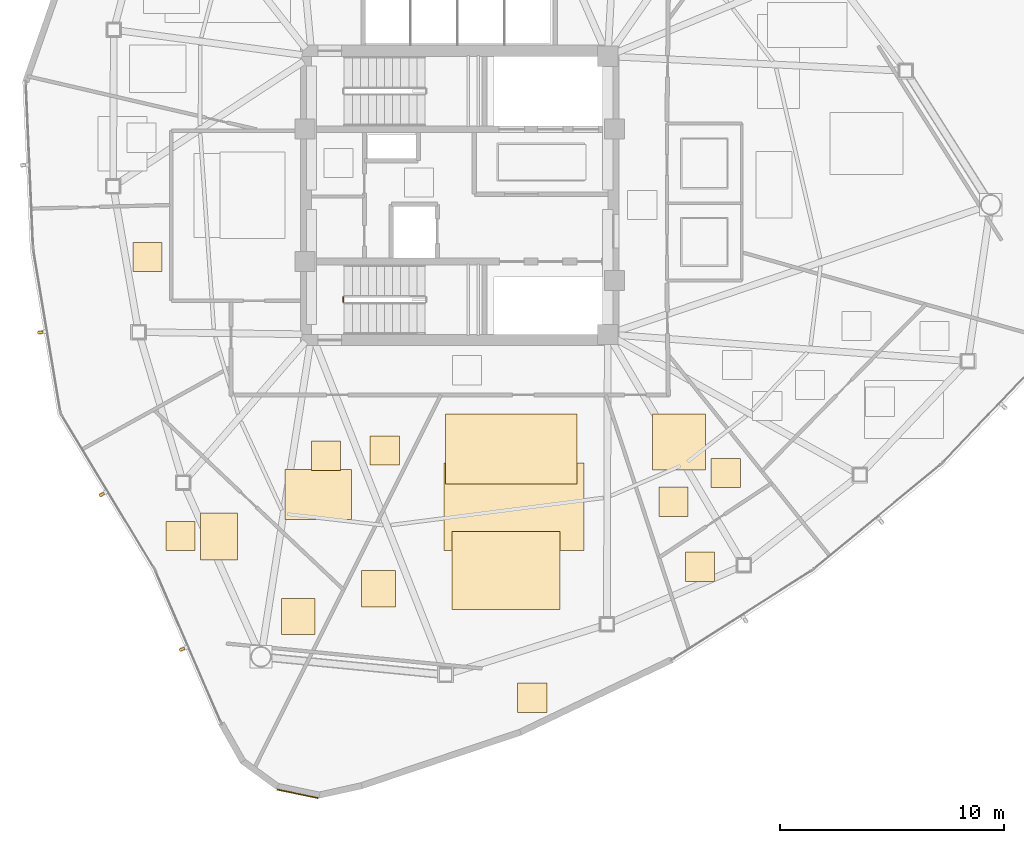
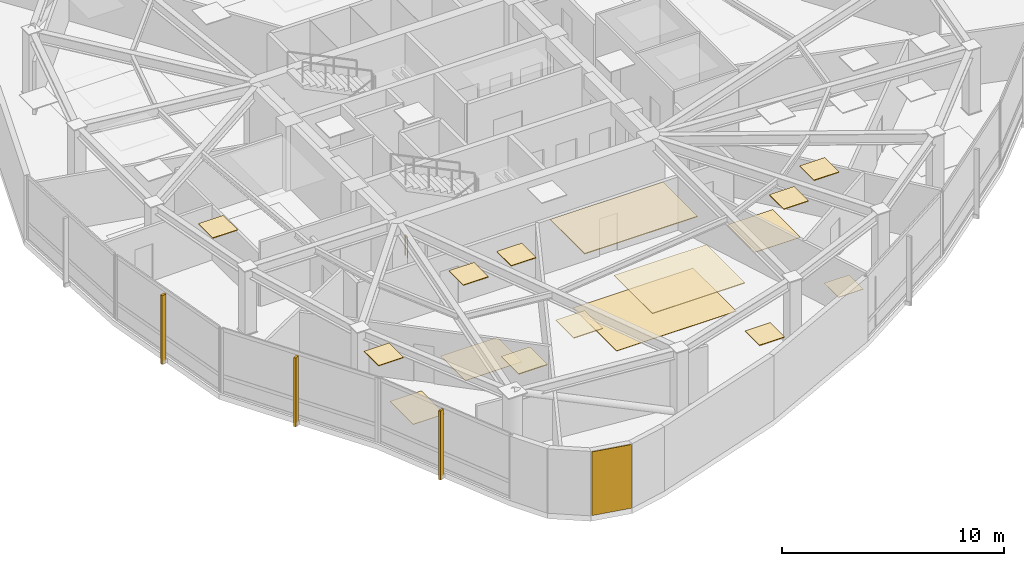
# One storey, part 14 of 17: 17 coverings, 3 shading devices, 1 railing.
"""IFC4 building model written with IfcOpenShell, lengths in metres."""

from ifc_helpers import new_model, si_unit, direction, frame, origin, origin_2d, place, context, subcontext, project, spatial, polyline, rectangle, outline, extrude, source, transform, mapped, material, layer, layer_set, type_object, type_shapes, element, save


model = new_model("IFC4")

# Units and contexts
model_context = context("Model", 3, precision=1e-05, world=origin(), true_north=direction((0.0, 1.0)))
body_context = subcontext(model_context, "Body", "Model", "MODEL_VIEW")
ifc_project = project(units=[si_unit("LENGTHUNIT", "METRE"), si_unit("AREAUNIT", "SQUARE_METRE"), si_unit("VOLUMEUNIT", "CUBIC_METRE"), si_unit("PLANEANGLEUNIT", "RADIAN"), si_unit("MASSUNIT", "GRAM", prefix="KILO")], contexts=[model_context])

# Site, building, storey
site_placement = place(None, origin())
site = spatial("IfcSite", under=ifc_project, at=site_placement, CompositionType="ELEMENT")
building_placement = place(site_placement, origin())
building = spatial("IfcBuilding", under=site, at=building_placement, Name="Tavelor Broadcast Tower", CompositionType="ELEMENT")
storey_placement = place(building_placement, frame((0.0, 0.0, 184.89990234375)))
storey = spatial("IfcBuildingStorey", under=building, at=storey_placement, Name="L44", CompositionType="ELEMENT", Elevation=184.89990234375)

# Coverings
ifc_material_1 = material(Name="Copper-Bronze Anodized Aluminium", Category="aluminium")
ifc_layer_1 = layer(ifc_material_1, 0.050048828125)
ifc_layer_set_1 = layer_set([ifc_layer_1], Name="Copper-Bronze Anodized Aluminium")
covering_type_1 = type_object("IfcCoveringType", Name="Champagne-Bronze Corner Pier Metal Cladding 50 mm", PredefinedType="CLADDING", material=ifc_layer_set_1)
covering_1_placement = place(storey_placement, frame((42.77099609375, 18.3134765625, 0.02001953125), z_axis=(0.0, 0.0, 1.0), x_axis=(0.978688559589, -0.205350196811, 0.0)))
element("IfcCovering", 1, at=covering_1_placement, inside=storey, type_object=covering_type_1, Name="L44 Champagne-Bronze Corner Cladding 13", PredefinedType="CLADDING", context=body_context, shape_type="SweptSolid", body=[
    extrude(rectangle(XDim=1.8671875, YDim=0.050048828125, at=origin_2d()), origin(), (0.0, 0.0, 1.0), 3.510009765625),
])
ifc_material_2 = material(Name="Acoustic Nylon Carpet Tile")
ifc_layer_2 = layer(ifc_material_2, 0.02001953125)
ifc_layer_set_2 = layer_set([ifc_layer_2], Name="Acoustic Nylon Carpet Tile")
covering_type_2 = type_object("IfcCoveringType", Name="Heavy-Duty Acoustic Broadcast Carpet Tile 20 mm", PredefinedType="FLOORING", material=ifc_layer_set_2)
covering_2_placement = place(storey_placement, origin())
element("IfcCovering", 2, at=covering_2_placement, inside=storey, type_object=covering_type_2, Name="L44 Broadcast Floor Finish 0663", PredefinedType="FLOORING", context=body_context, shape_type="SweptSolid", body=[
    extrude(outline(polyline([(60.069580078125, 27.7880859375), (61.36962890625, 27.7880859375), (61.36962890625, 29.088134765625), (60.069580078125, 29.088134765625), (60.069580078125, 27.7880859375)])), origin(), (0.0, 0.0, 1.0), 0.02001953125),
])
covering_3_placement = place(storey_placement, origin())
element("IfcCovering", 3, at=covering_3_placement, inside=storey, type_object=covering_type_2, Name="L44 Broadcast Floor Finish 0664", PredefinedType="FLOORING", context=body_context, shape_type="SweptSolid", body=[
    extrude(outline(polyline([(49.29248046875, 29.156982421875), (55.537353515625, 29.156982421875), (55.537353515625, 33.07080078125), (49.29248046875, 33.07080078125), (49.29248046875, 29.156982421875)])), origin(), (0.0, 0.0, 1.0), 0.02001953125),
])
covering_4_placement = place(storey_placement, origin())
element("IfcCovering", 4, at=covering_4_placement, inside=storey, type_object=covering_type_2, Name="L44 Broadcast Floor Finish 0665", PredefinedType="FLOORING", context=body_context, shape_type="SweptSolid", body=[
    extrude(outline(polyline([(38.447265625, 28.73046875), (40.093017578125, 28.73046875), (40.093017578125, 30.836669921875), (38.447265625, 30.836669921875), (38.447265625, 28.73046875)])), origin(), (0.0, 0.0, 1.0), 0.02001953125),
])
covering_5_placement = place(storey_placement, origin())
element("IfcCovering", 5, at=covering_5_placement, inside=storey, type_object=covering_type_2, Name="L44 Broadcast Floor Finish 0671", PredefinedType="FLOORING", context=body_context, shape_type="SweptSolid", body=[
    extrude(outline(polyline([(58.589111328125, 32.74609375), (60.95947265625, 32.74609375), (60.95947265625, 35.259521484375), (58.589111328125, 35.259521484375), (58.589111328125, 32.74609375)])), origin(), (0.0, 0.0, 1.0), 0.02001953125),
])
covering_6_placement = place(storey_placement, origin())
element("IfcCovering", 6, at=covering_6_placement, inside=storey, type_object=covering_type_2, Name="L44 Broadcast Floor Finish 0672", PredefinedType="FLOORING", context=body_context, shape_type="SweptSolid", body=[
    extrude(outline(polyline([(42.20947265625, 30.54150390625), (45.1767578125, 30.54150390625), (45.1767578125, 32.770751953125), (42.20947265625, 32.770751953125), (42.20947265625, 30.54150390625)])), origin(), (0.0, 0.0, 1.0), 0.02001953125),
])

# Railing
ifc_material_3 = material(Name="Steel S355", Category="steel")
railing_type = type_object("IfcRailingType", Name="Stairwell Steel Safety Guardrail 1150 mm", PredefinedType="GUARDRAIL", material=ifc_material_3)
railing_placement = place(storey_placement, frame((44.800048828125, 40.25, 0.0)))
element("IfcRailing", 7, at=railing_placement, inside=storey, type_object=railing_type, Name="L44 ST2 stair guard 4", PredefinedType="GUARDRAIL", context=body_context, shape_type="SweptSolid", body=[
    extrude(rectangle(XDim=0.048095703125, YDim=0.048095703125, at=origin_2d()), frame((0.0, 0.0, 1.1259765625), z_axis=(0.0, 1.0, 0.0), x_axis=(-1.0, 0.0, 0.0)), (0.0, 0.0, 1.0), 0.199951171875),
    extrude(rectangle(XDim=0.0419921875, YDim=0.0419921875, at=origin_2d()), origin(), (0.0, 0.0, 1.0), 1.101806640625),
    extrude(rectangle(XDim=0.0419921875, YDim=0.0419921875, at=origin_2d()), frame((0.0, 0.199951171875, 0.0)), (0.0, 0.0, 1.0), 1.101806640625),
])

# Coverings
ifc_material_4 = material(Name="Acoustic Mineral Fibre Tile")
ifc_layer_3 = layer(ifc_material_4, 0.0400390625)
ifc_layer_set_3 = layer_set([ifc_layer_3], Name="Acoustic Mineral Fibre Tile")
covering_type_3 = type_object("IfcCoveringType", Name="Suspended Acoustic Mineral-Fibre Office Ceiling 40 mm", PredefinedType="CEILING", material=ifc_layer_set_3)
covering_7_placement = place(storey_placement, frame((0.0, 0.0, 3.510009765625)))
element("IfcCovering", 8, at=covering_7_placement, inside=storey, type_object=covering_type_3, Name="L44 Suspended Acoustic Ceiling 1844", PredefinedType="CEILING", context=body_context, shape_type="SweptSolid", body=[
    extrude(outline(polyline([(52.586669921875, 21.950927734375), (53.88671875, 21.950927734375), (53.88671875, 23.2509765625), (52.586669921875, 23.2509765625), (52.586669921875, 21.950927734375)])), origin(), (0.0, 0.0, 1.0), 0.0400390625),
])
covering_8_placement = place(storey_placement, frame((0.0, 0.0, 3.510009765625)))
element("IfcCovering", 9, at=covering_8_placement, inside=storey, type_object=covering_type_3, Name="L44 Suspended Acoustic Ceiling 1845", PredefinedType="CEILING", context=body_context, shape_type="SweptSolid", body=[
    extrude(outline(polyline([(49.649658203125, 26.537353515625), (54.472900390625, 26.537353515625), (54.472900390625, 30.00244140625), (49.649658203125, 30.00244140625), (49.649658203125, 26.537353515625)])), origin(), (0.0, 0.0, 1.0), 0.0400390625),
])
covering_9_placement = place(storey_placement, frame((0.0, 0.0, 3.510009765625)))
element("IfcCovering", 10, at=covering_9_placement, inside=storey, type_object=covering_type_3, Name="L44 Suspended Acoustic Ceiling 1846", PredefinedType="CEILING", context=body_context, shape_type="SweptSolid", body=[
    extrude(outline(polyline([(45.611083984375, 26.639404296875), (47.125732421875, 26.639404296875), (47.125732421875, 28.2666015625), (45.611083984375, 28.2666015625), (45.611083984375, 26.639404296875)])), origin(), (0.0, 0.0, 1.0), 0.0400390625),
])
covering_10_placement = place(storey_placement, frame((0.0, 0.0, 3.510009765625)))
element("IfcCovering", 11, at=covering_10_placement, inside=storey, type_object=covering_type_3, Name="L44 Suspended Acoustic Ceiling 1847", PredefinedType="CEILING", context=body_context, shape_type="SweptSolid", body=[
    extrude(outline(polyline([(49.35595703125, 32.136474609375), (55.2373046875, 32.136474609375), (55.2373046875, 35.248046875), (49.35595703125, 35.248046875), (49.35595703125, 32.136474609375)])), origin(), (0.0, 0.0, 1.0), 0.0400390625),
])
covering_11_placement = place(storey_placement, frame((0.0, 0.0, 3.510009765625)))
element("IfcCovering", 12, at=covering_11_placement, inside=storey, type_object=covering_type_3, Name="L44 Suspended Acoustic Ceiling 1848", PredefinedType="CEILING", context=body_context, shape_type="SweptSolid", body=[
    extrude(outline(polyline([(36.8955078125, 29.158935546875), (38.195556640625, 29.158935546875), (38.195556640625, 30.458984375), (36.8955078125, 30.458984375), (36.8955078125, 29.158935546875)])), origin(), (0.0, 0.0, 1.0), 0.0400390625),
])
covering_12_placement = place(storey_placement, frame((0.0, 0.0, 3.510009765625)))
element("IfcCovering", 13, at=covering_12_placement, inside=storey, type_object=covering_type_3, Name="L44 Suspended Acoustic Ceiling 1849", PredefinedType="CEILING", context=body_context, shape_type="SweptSolid", body=[
    extrude(outline(polyline([(42.04541015625, 25.427490234375), (43.54833984375, 25.427490234375), (43.54833984375, 27.02001953125), (42.04541015625, 27.02001953125), (42.04541015625, 25.427490234375)])), origin(), (0.0, 0.0, 1.0), 0.0400390625),
])
covering_13_placement = place(storey_placement, frame((0.0, 0.0, 3.510009765625)))
element("IfcCovering", 14, at=covering_13_placement, inside=storey, type_object=covering_type_3, Name="L44 Suspended Acoustic Ceiling 1850", PredefinedType="CEILING", context=body_context, shape_type="SweptSolid", body=[
    extrude(outline(polyline([(35.433837890625, 41.596923828125), (36.73388671875, 41.596923828125), (36.73388671875, 42.89697265625), (35.433837890625, 42.89697265625), (35.433837890625, 41.596923828125)])), origin(), (0.0, 0.0, 1.0), 0.0400390625),
])
covering_14_placement = place(storey_placement, frame((0.0, 0.0, 3.510009765625)))
element("IfcCovering", 15, at=covering_14_placement, inside=storey, type_object=covering_type_3, Name="L44 Suspended Acoustic Ceiling 1867", PredefinedType="CEILING", context=body_context, shape_type="SweptSolid", body=[
    extrude(outline(polyline([(61.210693359375, 31.966064453125), (62.510498046875, 31.966064453125), (62.510498046875, 33.26611328125), (61.210693359375, 33.26611328125), (61.210693359375, 31.966064453125)])), origin(), (0.0, 0.0, 1.0), 0.0400390625),
])
covering_15_placement = place(storey_placement, frame((0.0, 0.0, 3.510009765625)))
element("IfcCovering", 16, at=covering_15_placement, inside=storey, type_object=covering_type_3, Name="L44 Suspended Acoustic Ceiling 1868", PredefinedType="CEILING", context=body_context, shape_type="SweptSolid", body=[
    extrude(outline(polyline([(58.88818359375, 30.6845703125), (60.188232421875, 30.6845703125), (60.188232421875, 31.984619140625), (58.88818359375, 31.984619140625), (58.88818359375, 30.6845703125)])), origin(), (0.0, 0.0, 1.0), 0.0400390625),
])
covering_16_placement = place(storey_placement, frame((0.0, 0.0, 3.510009765625)))
element("IfcCovering", 17, at=covering_16_placement, inside=storey, type_object=covering_type_3, Name="L44 Suspended Acoustic Ceiling 1869", PredefinedType="CEILING", context=body_context, shape_type="SweptSolid", body=[
    extrude(outline(polyline([(43.381591796875, 32.73583984375), (44.681640625, 32.73583984375), (44.681640625, 34.035888671875), (43.381591796875, 34.035888671875), (43.381591796875, 32.73583984375)])), origin(), (0.0, 0.0, 1.0), 0.0400390625),
])
covering_17_placement = place(storey_placement, frame((0.0, 0.0, 3.510009765625)))
element("IfcCovering", 18, at=covering_17_placement, inside=storey, type_object=covering_type_3, Name="L44 Suspended Acoustic Ceiling 1870", PredefinedType="CEILING", context=body_context, shape_type="SweptSolid", body=[
    extrude(outline(polyline([(46.007080078125, 32.970703125), (47.30712890625, 32.970703125), (47.30712890625, 34.270751953125), (46.007080078125, 34.270751953125), (46.007080078125, 32.970703125)])), origin(), (0.0, 0.0, 1.0), 0.0400390625),
])

# Shading devices
ifc_material_5 = material(Name="Kiln-Fired Glazed Terracotta", Category="masonry")
shading_device_type = type_object("IfcShadingDeviceType", Name="Extruded Terracotta Baguette Sun-Screen 110x240", PredefinedType="JALOUSIE", material=ifc_material_5)
shared_shape = source(origin(), body_context, "Body", "SweptSolid", [
    extrude(rectangle(XDim=0.110107421875, YDim=0.239990234375, at=origin_2d()), origin(), (0.0, 0.0, 1.0), 3.7900390625),
])
type_shapes(shading_device_type, [shared_shape])
for number, where, z_axis, x_axis, name in (
    (19, (31.299072265625, 38.888916015625, -0.260009765625), (0.0, 0.0, 1.0), (0.16470331719, -0.986343153931, 0.0), "L44 Terracotta Baguette Fin 458"),
    (20, (34.0390625, 31.65869140625, -0.260009765625), (0.0, 0.0, 1.0), (0.516981598438, -0.855996511019, 0.0), "L44 Terracotta Baguette Fin 459"),
    (21, (37.617431640625, 24.76025390625, -0.260009765625), (0.0, 0.0, 1.0), (0.396827509647, -0.917893200535, 0.0), "L44 Terracotta Baguette Fin 460"),
):
    element("IfcShadingDevice", number, at=place(storey_placement, frame(where, z_axis=z_axis, x_axis=x_axis)), inside=storey, type_object=shading_device_type, Name=name, PredefinedType="JALOUSIE", context=body_context, shape_type="MappedRepresentation", body=[
        mapped(shared_shape, transform((0.0, 0.0, 0.0), scale=1.0)),
    ])

save(model, "model.ifc")
